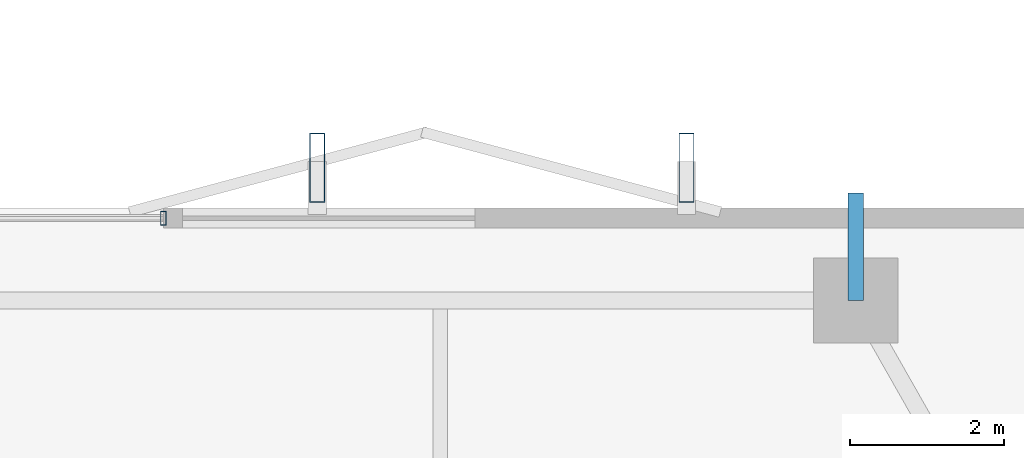
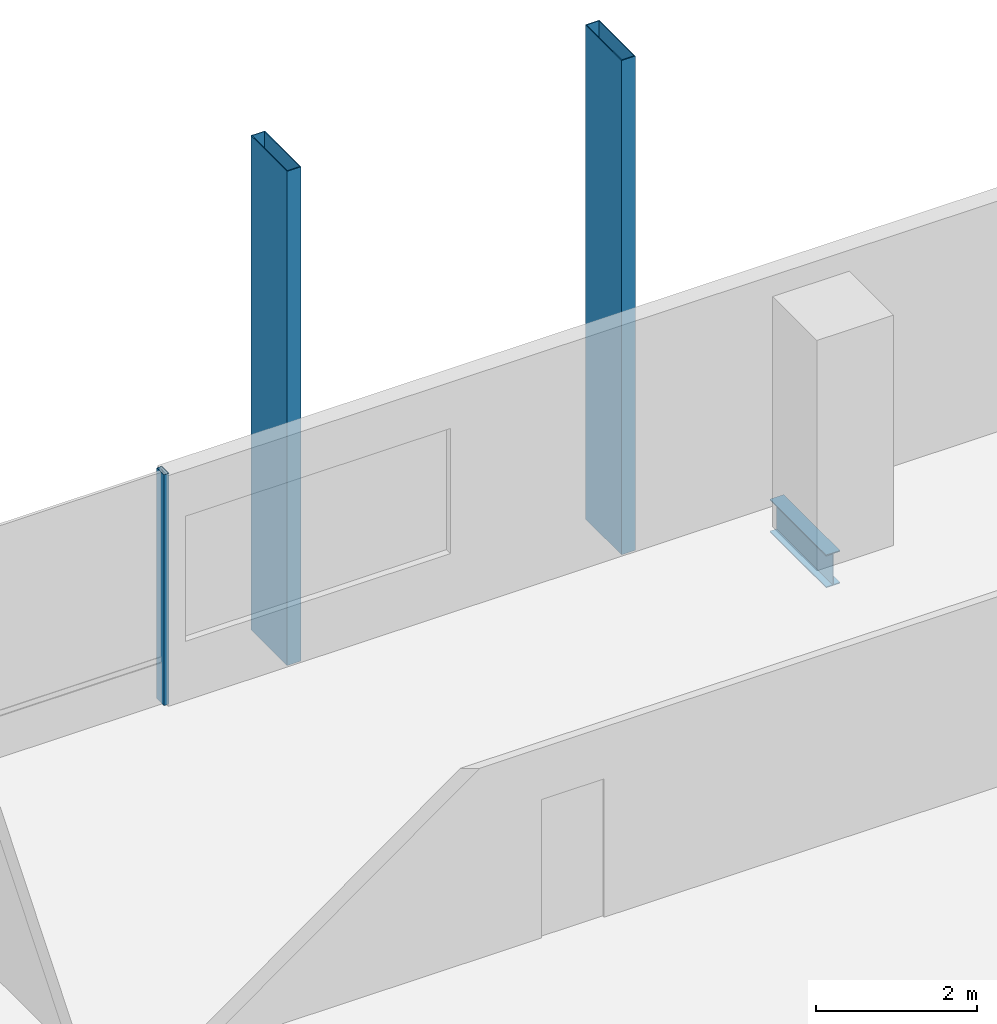
# One storey, part 15 of 24: 3 members, 1 beam, 1 element without a shape of its own.
"""IFC4 building model written with IfcOpenShell, lengths in metres."""

from ifc_helpers import new_model, si_unit, direction, frame, origin, origin_2d, place, context, subcontext, project, spatial, hollow_rectangle, i_section, extrude, material, layer, layer_set, material_profile, profile_set, type_object, element, aggregate, save


model = new_model("IFC4")

# Units and contexts
model_context = context("Model", 3, precision=1e-05, world=origin(), true_north=direction((0.0, 1.0)))
body_context = subcontext(model_context, "Body", "Model", "MODEL_VIEW")
ifc_project = project(units=[si_unit("LENGTHUNIT", "METRE"), si_unit("AREAUNIT", "SQUARE_METRE"), si_unit("VOLUMEUNIT", "CUBIC_METRE"), si_unit("PLANEANGLEUNIT", "RADIAN"), si_unit("MASSUNIT", "GRAM", prefix="KILO")], contexts=[model_context])

# Site, building, storey
site_placement = place(None, origin())
site = spatial("IfcSite", under=ifc_project, at=site_placement, CompositionType="ELEMENT")
building_placement = place(site_placement, origin())
building = spatial("IfcBuilding", under=site, at=building_placement, Name="Belovzor Exchange Tower", CompositionType="ELEMENT")
storey_placement = place(building_placement, frame((0.0, 0.0, 211.199951171875)))
storey = spatial("IfcBuildingStorey", under=building, at=storey_placement, Name="L52", CompositionType="ELEMENT", Elevation=211.199951171875)

# Beam
ifc_material_1 = material(Name="Steel S355", Category="steel")
ifc_material_profile_1 = material_profile(ifc_material_1, i_section(OverallWidth=0.199951171875, OverallDepth=0.5, WebThickness=0.01025390625, FlangeThickness=0.01611328125, at=origin_2d()))
ifc_profile_set_1 = profile_set([ifc_material_profile_1], Name="Steel S355")
beam_type = type_object("IfcBeamType", Name="Planted Balcony Cantilever Beam IPE 500", PredefinedType="BEAM", material=ifc_profile_set_1)
beam_placement = place(storey_placement, frame((42.60009765625, 54.60009765625, -0.5), z_axis=(0.0, 1.0, 0.0), x_axis=(-1.0, 0.0, 0.0)))
element("IfcBeam", 1, at=beam_placement, inside=storey, type_object=beam_type, Name="BC-500 Planted Balcony Cantilever Beam IPE 500", PredefinedType="BEAM", context=body_context, shape_type="SweptSolid", body=[
    extrude(i_section(OverallWidth=0.199951171875, OverallDepth=0.5, WebThickness=0.01025390625, FlangeThickness=0.01611328125, at=origin_2d()), origin(), (0.0, 0.0, 1.0), 1.39990234375),
])

# Members
ifc_material_2 = material(Name="Extruded Architectural Terracotta on Steel S355 Carrier", Category="masonry")
ifc_material_profile_2 = material_profile(ifc_material_2, hollow_rectangle(XDim=0.199951171875, YDim=0.89990234375, WallThickness=0.011962890625, at=origin_2d()))
ifc_profile_set_2 = profile_set([ifc_material_profile_2], Name="Extruded Architectural Terracotta on Steel S355 Carrier")
member_type_1 = type_object("IfcMemberType", Name="Sweeping Terracotta Baguette Fin Assembly 950", PredefinedType="USERDEFINED", material=ifc_profile_set_2)
for number, where, z_axis, x_axis, name in (
    (2, (35.60009765625, 56.324951171875, -0.25), (0.0, 0.0, 1.0), (1.0, 0.0, 0.0), "FIN-TC095 Terracotta Facade Fin L52 N3"),
    (3, (40.39990234375, 56.324951171875, -0.25), (0.0, 0.0, 1.0), (1.0, 0.0, 0.0), "FIN-TC095 Terracotta Facade Fin L52 N4"),
):
    element("IfcMember", number, at=place(storey_placement, frame(where, z_axis=z_axis, x_axis=x_axis)), inside=storey, type_object=member_type_1, Name=name, ObjectType="FIN", PredefinedType="USERDEFINED", context=body_context, shape_type="SweptSolid", body=[
        extrude(hollow_rectangle(XDim=0.199951171875, YDim=0.89990234375, WallThickness=0.011962890625, at=origin_2d()), origin(), (0.0, 0.0, 1.0), 7.5),
    ])

# Curtain wall, member
ifc_material_3 = material(Name="Anodised Aluminium Framing", Category="aluminium")
ifc_layer = layer(ifc_material_3, 0.179931640625)
ifc_layer_set = layer_set([ifc_layer], Name="Anodised Aluminium Framing")
curtain_wall_type = type_object("IfcCurtainWallType", Name="Recessed Loggia Low-Iron Triple-Glazed Curtain Wall", PredefinedType="NOTDEFINED", material=ifc_layer_set)
curtain_wall_placement = place(storey_placement, origin())
curtain_wall = element("IfcCurtainWall", 4, at=curtain_wall_placement, inside=storey, type_object=curtain_wall_type, Name="CW3 Recessed Loggia Low-Iron Triple-Glazed Curtain Wall L52", PredefinedType="NOTDEFINED")
ifc_material_4 = material(Name="Steel S355", Category="steel")
ifc_material_profile_3 = material_profile(ifc_material_4, hollow_rectangle(XDim=0.074951171875, YDim=0.179931640625, WallThickness=0.0048828125, at=origin_2d()))
ifc_profile_set_3 = profile_set([ifc_material_profile_3], Name="Steel S355")
member_type_2 = type_object("IfcMemberType", Name="Thermally Broken Curtain Wall Mullion 180x75", PredefinedType="MULLION", material=ifc_profile_set_3)
member_placement = place(storey_placement, frame((33.60009765625, 55.669921875, 0.0), z_axis=(0.0, 0.0, 1.0), x_axis=(1.0, 0.0, 0.0)))
member = element("IfcMember", 5, at=member_placement, type_object=member_type_2, Name="CW-M180 Curtain Wall Mullion 4", PredefinedType="MULLION", context=body_context, shape_type="SweptSolid", body=[
    extrude(hollow_rectangle(XDim=0.074951171875, YDim=0.179931640625, WallThickness=0.0048828125, at=origin_2d()), origin(), (0.0, 0.0, 1.0), 3.5),
])
aggregate(curtain_wall, [member])

save(model, "model.ifc")
